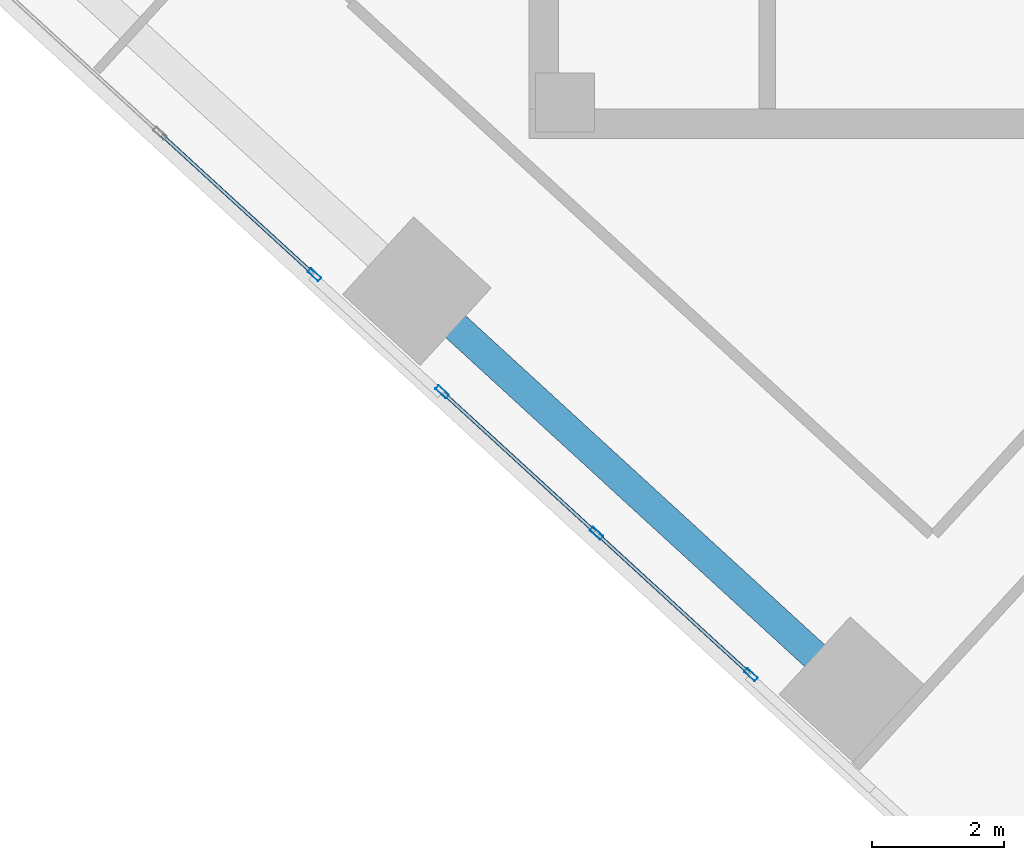
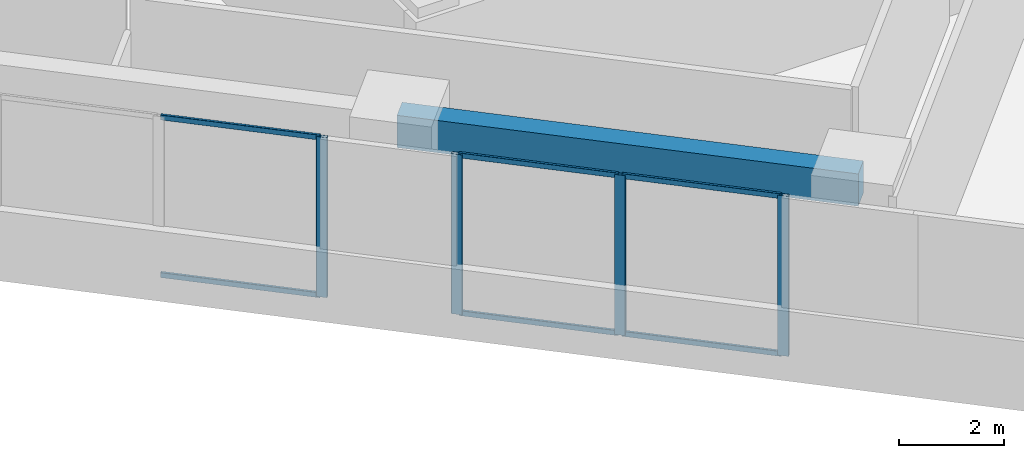
# One storey, part 2 of 18: 10 members, 1 beam, 2 elements without a shape of their own.
"""IFC4 building model written with IfcOpenShell, lengths in metres."""

from ifc_helpers import new_model, si_unit, direction, frame, origin, origin_2d, place, context, subcontext, project, spatial, rectangle, hollow_rectangle, extrude, source, transform, mapped, material, material_profile, profile_set, type_object, element, aggregate, save


model = new_model("IFC4")

# Units and contexts
model_context = context("Model", 3, precision=1e-05, world=origin(), true_north=direction((0.0, 1.0)))
body_context = subcontext(model_context, "Body", "Model", "MODEL_VIEW")
ifc_project = project(units=[si_unit("LENGTHUNIT", "METRE"), si_unit("AREAUNIT", "SQUARE_METRE"), si_unit("VOLUMEUNIT", "CUBIC_METRE"), si_unit("PLANEANGLEUNIT", "RADIAN"), si_unit("MASSUNIT", "GRAM", prefix="KILO")], contexts=[model_context])

# Site, building, storey
site_placement = place(None, origin())
site = spatial("IfcSite", under=ifc_project, at=site_placement, CompositionType="ELEMENT")
building_placement = place(site_placement, origin())
building = spatial("IfcBuilding", under=site, at=building_placement, Name="Torre Montelarca", CompositionType="ELEMENT")
storey_placement = place(building_placement, frame((0.0, 0.0, 237.39990234375)))
storey = spatial("IfcBuildingStorey", under=building, at=storey_placement, Name="L53", CompositionType="ELEMENT", Elevation=237.39990234375)

# Beam
ifc_material_1 = material(Name="Concrete C55/67", Category="concrete")
ifc_material_profile_1 = material_profile(ifc_material_1, rectangle(XDim=0.449951171875, YDim=0.75, at=origin_2d()), Name="RCB450X750", Category="concrete")
ifc_profile_set_1 = profile_set([ifc_material_profile_1], Name="Concrete C55/67")
beam_type = type_object("IfcBeamType", Name="BM-SP-RC750-EXT", PredefinedType="SPANDREL", material=ifc_profile_set_1)
shared_shape_1 = source(origin(), body_context, "Body", "SweptSolid", [
    extrude(rectangle(XDim=0.449951171875, YDim=0.75, at=origin_2d()), origin(), (0.0, 0.0, 1.0), 9.0),
])
beam_placement = place(storey_placement, frame((7.29931640625, 21.683349609375, 3.585205078125), z_axis=(0.73727686361, -0.675590724023, 0.0), x_axis=(0.675590724023, 0.73727686361, 0.0)))
element("IfcBeam", 1, at=beam_placement, inside=storey, type_object=beam_type, Name="L53 Grid Girder X 18.0-27.0 at Y=14.8", PredefinedType="SPANDREL", context=body_context, shape_type="MappedRepresentation", body=[
    mapped(shared_shape_1, transform((0.0, 0.0, 0.0), scale=1.0)),
])

# Curtain wall, members
ifc_material_2 = material(Name="Insulated low-E laminated glass", Category="glass")
curtain_wall_type = type_object("IfcCurtainWallType", Name="CW-SYS-Z3", PredefinedType="USERDEFINED", material=ifc_material_2)
curtain_wall_1_placement = place(storey_placement, origin())
curtain_wall_1 = element("IfcCurtainWall", 2, at=curtain_wall_1_placement, inside=storey, type_object=curtain_wall_type, Name="L53 Curtain Wall Run CW-T3-L53-E01-B2", ObjectType="UNITISED GLAZING", PredefinedType="USERDEFINED")
ifc_material_3 = material(Name="Anodised aluminium AA 6063-T6", Category="aluminium")
ifc_material_profile_2 = material_profile(ifc_material_3, hollow_rectangle(XDim=0.054931640625, YDim=0.1201171875, WallThickness=0.00341796875, InnerFilletRadius=0.00341796875, OuterFilletRadius=0.007080078125, at=origin_2d()), Name="ALU55X120X3.5", Category="aluminium")
ifc_profile_set_2 = profile_set([ifc_material_profile_2], Name="Anodised aluminium AA 6063-T6")
member_type_1 = type_object("IfcMemberType", Name="CWT-ALU120", PredefinedType="USERDEFINED", material=ifc_profile_set_2)
shared_shape_2 = source(origin(), body_context, "Body", "SweptSolid", [
    extrude(hollow_rectangle(XDim=0.054931640625, YDim=0.1201171875, WallThickness=0.00341796875, InnerFilletRadius=0.00341796875, OuterFilletRadius=0.007080078125, at=origin_2d()), origin(), (0.0, 0.0, 1.0), 3.107421875),
])
member_1_placement = place(storey_placement, frame((7.710693359375, 20.12646484375, 0.027587890625), z_axis=(0.737271534665, -0.675596539491, 0.0), x_axis=(0.675596539491, 0.737271534665, 0.0)))
member_1 = element("IfcMember", 3, at=member_1_placement, type_object=member_type_1, Name="CW transom 1.1", ObjectType="TRANSOM", PredefinedType="USERDEFINED", context=body_context, shape_type="MappedRepresentation", body=[
    mapped(shared_shape_2, transform((0.0, 0.0, 0.0), scale=1.0)),
])
member_2_placement = place(storey_placement, frame((7.710693359375, 20.12646484375, 3.692626953125), z_axis=(0.737271534665, -0.675596539491, 0.0), x_axis=(0.675596539491, 0.737271534665, 0.0)))
member_2 = element("IfcMember", 4, at=member_2_placement, type_object=member_type_1, Name="CW transom 1.2", ObjectType="TRANSOM", PredefinedType="USERDEFINED", context=body_context, shape_type="MappedRepresentation", body=[
    mapped(shared_shape_2, transform((0.0, 0.0, 0.0), scale=1.0)),
])

curtain_wall_2_placement = place(storey_placement, origin())
curtain_wall_2 = element("IfcCurtainWall", 5, at=curtain_wall_2_placement, inside=storey, type_object=curtain_wall_type, Name="L53 Curtain Wall Run CW-T3-L53-E01-B1", ObjectType="UNITISED GLAZING", PredefinedType="USERDEFINED")
shared_shape_3 = source(origin(), body_context, "Body", "SweptSolid", [
    extrude(hollow_rectangle(XDim=0.054931640625, YDim=0.1201171875, WallThickness=0.00341796875, InnerFilletRadius=0.00341796875, OuterFilletRadius=0.007080078125, at=origin_2d()), origin(), (0.0, 0.0, 1.0), 3.107666015625),
])
member_3_placement = place(storey_placement, frame((3.42138671875, 24.056884765625, 0.027587890625), z_axis=(0.737268261341, -0.675600111618, 0.0), x_axis=(0.675600111618, 0.737268261341, 0.0)))
member_3 = element("IfcMember", 6, at=member_3_placement, type_object=member_type_1, Name="CW transom 2.1", ObjectType="TRANSOM", PredefinedType="USERDEFINED", context=body_context, shape_type="MappedRepresentation", body=[
    mapped(shared_shape_3, transform((0.0, 0.0, 0.0), scale=1.0)),
])
member_4_placement = place(storey_placement, frame((3.42138671875, 24.056884765625, 3.692626953125), z_axis=(0.737268261341, -0.675600111618, 0.0), x_axis=(0.675600111618, 0.737268261341, 0.0)))
member_4 = element("IfcMember", 7, at=member_4_placement, type_object=member_type_1, Name="CW transom 2.2", ObjectType="TRANSOM", PredefinedType="USERDEFINED", context=body_context, shape_type="MappedRepresentation", body=[
    mapped(shared_shape_3, transform((0.0, 0.0, 0.0), scale=1.0)),
])

# Member
member_5_placement = place(storey_placement, frame((10.056884765625, 17.9765625, 0.027587890625), z_axis=(0.737268261341, -0.675600111618, 0.0), x_axis=(0.675600111618, 0.737268261341, 0.0)))
member_5 = element("IfcMember", 8, at=member_5_placement, type_object=member_type_1, Name="CW transom 2.1", ObjectType="TRANSOM", PredefinedType="USERDEFINED", context=body_context, shape_type="MappedRepresentation", body=[
    mapped(shared_shape_3, transform((0.0, 0.0, 0.0), scale=1.0)),
])

member_6_placement = place(storey_placement, frame((10.056884765625, 17.9765625, 3.692626953125), z_axis=(0.737268261341, -0.675600111618, 0.0), x_axis=(0.675600111618, 0.737268261341, 0.0)))
member_6 = element("IfcMember", 9, at=member_6_placement, type_object=member_type_1, Name="CW transom 2.2", ObjectType="TRANSOM", PredefinedType="USERDEFINED", context=body_context, shape_type="MappedRepresentation", body=[
    mapped(shared_shape_3, transform((0.0, 0.0, 0.0), scale=1.0)),
])

ifc_material_profile_3 = material_profile(ifc_material_3, hollow_rectangle(XDim=0.074951171875, YDim=0.219970703125, WallThickness=0.0048828125, InnerFilletRadius=0.0048828125, OuterFilletRadius=0.010009765625, at=origin_2d()), Name="ALU75X220X5", Category="aluminium")
ifc_profile_set_3 = profile_set([ifc_material_profile_3], Name="Anodised aluminium AA 6063-T6")
member_type_2 = type_object("IfcMemberType", Name="CWM-ALU220", PredefinedType="MULLION", material=ifc_profile_set_3)
shared_shape_4 = source(origin(), body_context, "Body", "SweptSolid", [
    extrude(hollow_rectangle(XDim=0.074951171875, YDim=0.219970703125, WallThickness=0.0048828125, InnerFilletRadius=0.0048828125, OuterFilletRadius=0.010009765625, at=origin_2d()), origin(), (0.0, 0.0, 1.0), 3.72021484375),
])
member_7_placement = place(storey_placement, frame((5.740234375, 21.93212890625, 0.0), z_axis=(0.0, 0.0, 1.0), x_axis=(0.675587502621, 0.737279815472, 0.0)))
member_7 = element("IfcMember", 10, at=member_7_placement, type_object=member_type_2, Name="CW mullion 3", PredefinedType="MULLION", context=body_context, shape_type="MappedRepresentation", body=[
    mapped(shared_shape_4, transform((0.0, 0.0, 0.0), scale=1.0)),
])

aggregate(curtain_wall_2, [member_7, member_3, member_4])

member_8_placement = place(storey_placement, frame((7.682861328125, 20.15185546875, 0.0), z_axis=(0.0, 0.0, 1.0), x_axis=(0.675587502621, 0.737279815472, 0.0)))
member_8 = element("IfcMember", 11, at=member_8_placement, type_object=member_type_2, Name="CW mullion 1", PredefinedType="MULLION", context=body_context, shape_type="MappedRepresentation", body=[
    mapped(shared_shape_4, transform((0.0, 0.0, 0.0), scale=1.0)),
])

member_9_placement = place(storey_placement, frame((10.029296875, 18.001708984375, 0.0), z_axis=(0.0, 0.0, 1.0), x_axis=(0.675587502621, 0.737279815472, 0.0)))
member_9 = element("IfcMember", 12, at=member_9_placement, type_object=member_type_2, Name="CW mullion 2", PredefinedType="MULLION", context=body_context, shape_type="MappedRepresentation", body=[
    mapped(shared_shape_4, transform((0.0, 0.0, 0.0), scale=1.0)),
])

member_10_placement = place(storey_placement, frame((12.375732421875, 15.851806640625, 0.0), z_axis=(0.0, 0.0, 1.0), x_axis=(0.675587502621, 0.737279815472, 0.0)))
member_10 = element("IfcMember", 13, at=member_10_placement, type_object=member_type_2, Name="CW mullion 3", PredefinedType="MULLION", context=body_context, shape_type="MappedRepresentation", body=[
    mapped(shared_shape_4, transform((0.0, 0.0, 0.0), scale=1.0)),
])

aggregate(curtain_wall_1, [member_8, member_9, member_10, member_1, member_2, member_5, member_6])

save(model, "model.ifc")
